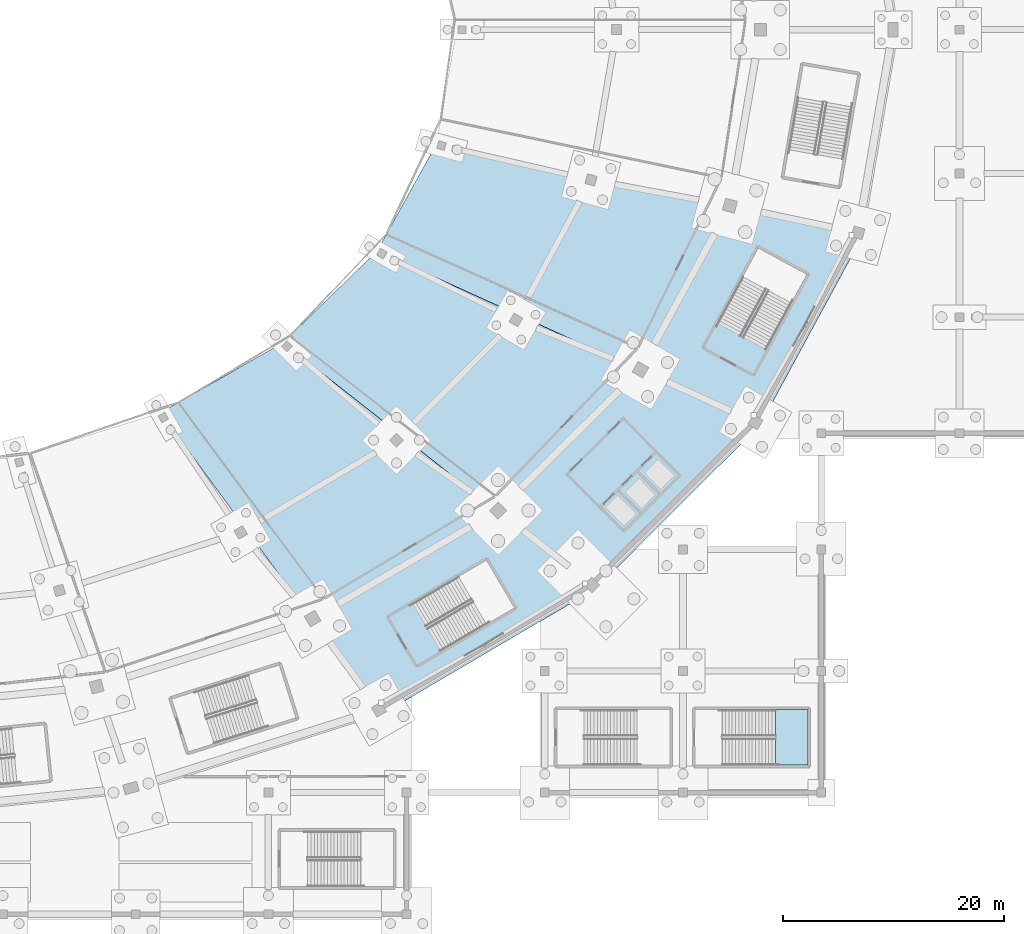
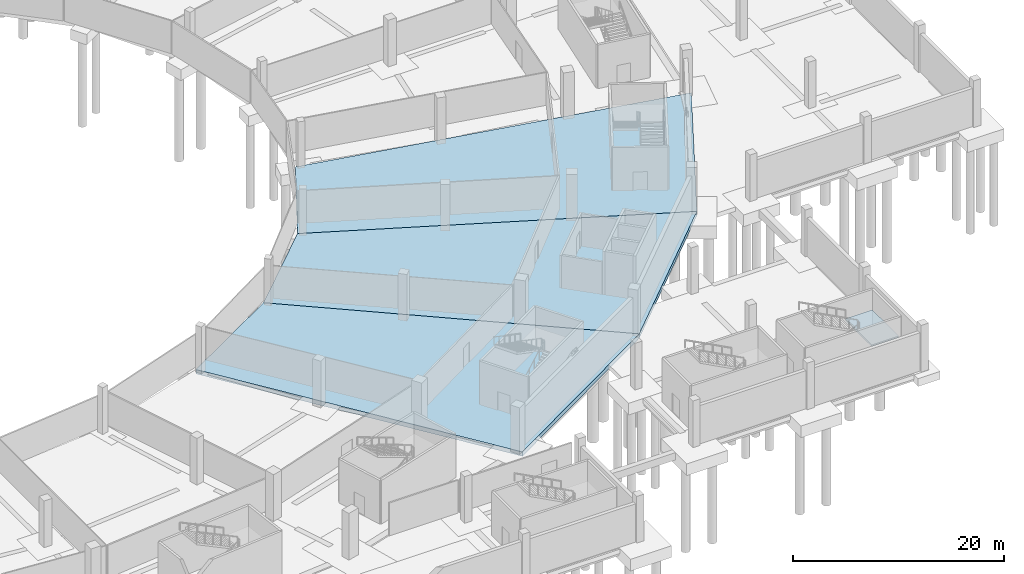
# One storey, part 20 of 74: 4 slabs, 1 element without a shape of its own.
"""IFC4 building model written with IfcOpenShell, lengths in metres."""

from ifc_helpers import new_model, si_unit, direction, frame, origin, place, context, subcontext, project, spatial, polyline, outline, extrude, material, layer, layer_set, type_object, element, aggregate, save


model = new_model("IFC4")

# Units and contexts
model_context = context("Model", 3, precision=1e-05, world=origin(), true_north=direction((0.0, 1.0)))
body_context = subcontext(model_context, "Body", "Model", "MODEL_VIEW")
ifc_project = project(units=[si_unit("LENGTHUNIT", "METRE"), si_unit("AREAUNIT", "SQUARE_METRE"), si_unit("VOLUMEUNIT", "CUBIC_METRE"), si_unit("PLANEANGLEUNIT", "RADIAN"), si_unit("MASSUNIT", "GRAM", prefix="KILO")], contexts=[model_context])

# Site, building, storey
site_placement = place(None, origin())
site = spatial("IfcSite", under=ifc_project, at=site_placement, CompositionType="ELEMENT")
building_placement = place(site_placement, origin())
building = spatial("IfcBuilding", under=site, at=building_placement, Name="Zlatoyarsky Gate Stadium", CompositionType="ELEMENT")
storey_placement = place(building_placement, frame((0.0, 0.0, -5.39990234375)))
storey = spatial("IfcBuildingStorey", under=building, at=storey_placement, Name="B1", CompositionType="ELEMENT", Elevation=-5.39990234375)

# Slabs
ifc_material_1 = material(Name="Concrete C35/45", Category="concrete")
ifc_layer_1 = layer(ifc_material_1, 0.5)
ifc_layer_set_1 = layer_set([ifc_layer_1], Name="Concrete C35/45")
slab_type_1 = type_object("IfcSlabType", Name="CONCRETE BASE SLAB 500", PredefinedType="BASESLAB", material=ifc_layer_set_1)
slab_1_placement = place(storey_placement, frame((0.0, 0.0, -0.5)))
element("IfcSlab", 1, at=slab_1_placement, inside=storey, type_object=slab_type_1, Name="B1 bowl sector 20 slab", PredefinedType="BASESLAB", context=body_context, shape_type="SweptSolid", body=[
    extrude(outline(polyline([(148.830078125, 51.7158203125), (177.114501953125, 29.44189453125), (157.75, 18.0791015625), (137.75, 45.35888671875), (148.830078125, 51.7158203125)])), origin(), (0.0, 0.0, 1.0), 0.5),
])
slab_2_placement = place(storey_placement, frame((0.0, 0.0, -0.5)))
element("IfcSlab", 2, at=slab_2_placement, inside=storey, type_object=slab_type_1, Name="B1 bowl sector 21 slab", PredefinedType="BASESLAB", context=body_context, shape_type="SweptSolid", body=[
    extrude(outline(polyline([(157.33251953125, 60.0), (191.973388671875, 44.25), (177.114501953125, 29.44189453125), (148.830078125, 51.7158203125), (157.33251953125, 60.0)])), origin(), (0.0, 0.0, 1.0), 0.5),
])
slab_3_placement = place(storey_placement, frame((0.0, 0.0, -0.5)))
element("IfcSlab", 3, at=slab_3_placement, inside=storey, type_object=slab_type_1, Name="B1 bowl sector 22 slab", PredefinedType="BASESLAB", context=body_context, shape_type="SweptSolid", body=[
    extrude(outline(polyline([(162.677001953125, 69.647216796875), (201.314208984375, 61.494384765625), (191.973388671875, 44.25), (157.33251953125, 60.0), (162.677001953125, 69.647216796875)])), origin(), (0.0, 0.0, 1.0), 0.5),
])

# Stair, slab
ifc_material_2 = material(Name="Concrete C40/50", Category="concrete")
stair_type = type_object("IfcStairType", Name="CONCRETE DOGLEG EXIT STAIR H5400", PredefinedType="TWO_STRAIGHT_RUN_STAIR", material=ifc_material_2)
stair_placement = place(storey_placement, origin())
stair = element("IfcStair", 4, at=stair_placement, inside=storey, type_object=stair_type, Name="B1 Exit Stair ST-24", PredefinedType="TWO_STRAIGHT_RUN_STAIR")
ifc_layer_2 = layer(ifc_material_2, 0.199951171875)
ifc_layer_set_2 = layer_set([ifc_layer_2], Name="Concrete C40/50")
slab_type_2 = type_object("IfcSlabType", Name="CONCRETE STAIR LANDING SLAB 200", PredefinedType="LANDING", material=ifc_layer_set_2)
slab_4_placement = place(storey_placement, frame((0.0, 0.0, 2.5)))
slab_4 = element("IfcSlab", 5, at=slab_4_placement, type_object=slab_type_2, Name="ST-DG54 landing 1", PredefinedType="LANDING", context=body_context, shape_type="SweptSolid", body=[
    extrude(outline(polyline([(193.35009765625, 13.5), (196.300048828125, 13.5), (196.300048828125, 18.5), (193.35009765625, 18.5), (193.35009765625, 13.5)])), origin(), (0.0, 0.0, 1.0), 0.199951171875),
])
aggregate(stair, [slab_4])

save(model, "model.ifc")
